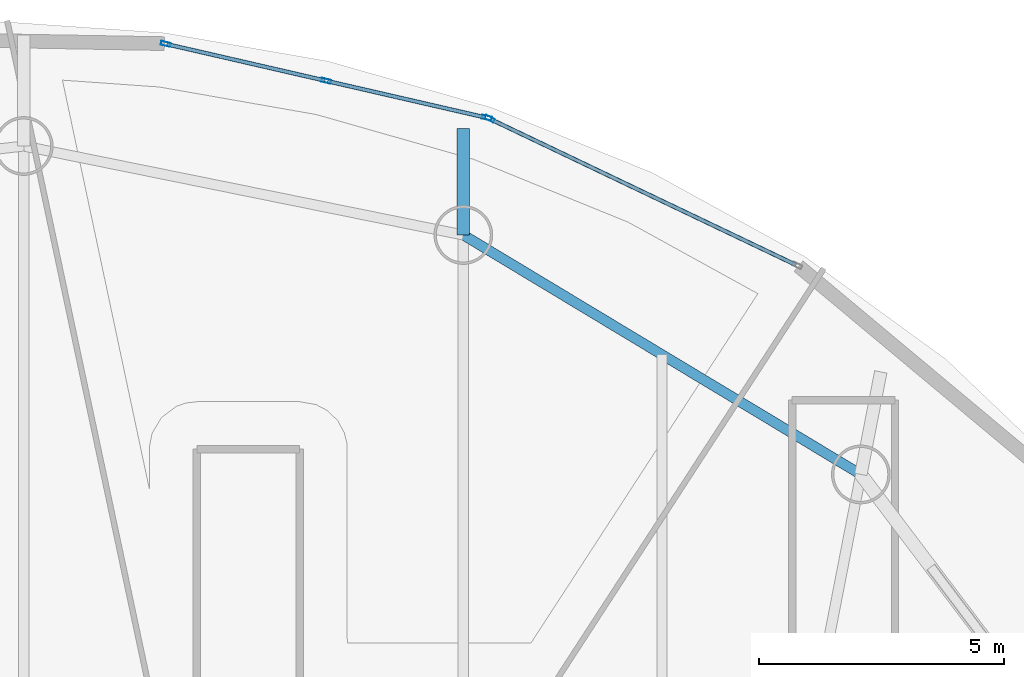
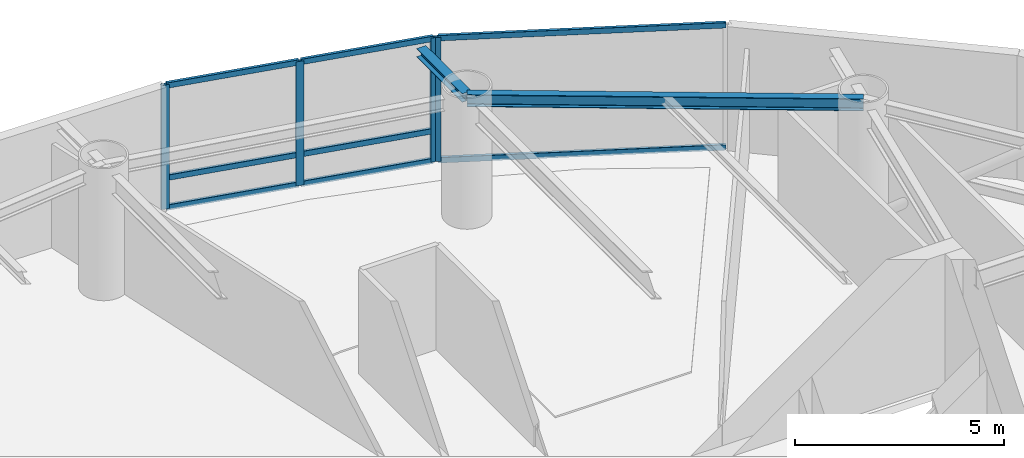
# One storey, part 13 of 22: 12 members, 2 beams, 2 elements without a shape of their own.
"""IFC4 building model written with IfcOpenShell, lengths in metres."""

from ifc_helpers import new_model, si_unit, direction, frame, origin, origin_2d, place, context, subcontext, project, spatial, hollow_rectangle, i_section, extrude, material, layer, layer_set, material_profile, profile_set, type_object, element, aggregate, save


model = new_model("IFC4")

# Units and contexts
model_context = context("Model", 3, precision=1e-05, world=origin(), true_north=direction((0.0, 1.0)))
body_context = subcontext(model_context, "Body", "Model", "MODEL_VIEW")
ifc_project = project(units=[si_unit("LENGTHUNIT", "METRE"), si_unit("AREAUNIT", "SQUARE_METRE"), si_unit("VOLUMEUNIT", "CUBIC_METRE"), si_unit("PLANEANGLEUNIT", "RADIAN"), si_unit("MASSUNIT", "GRAM", prefix="KILO")], contexts=[model_context])

# Site, building, storey
site_placement = place(None, origin())
site = spatial("IfcSite", under=ifc_project, at=site_placement, CompositionType="ELEMENT")
building_placement = place(site_placement, origin())
building = spatial("IfcBuilding", under=site, at=building_placement, Name="Bramvorn Convention Spire", CompositionType="ELEMENT")
storey_placement = place(building_placement, frame((0.0, 0.0, 221.25)))
storey = spatial("IfcBuildingStorey", under=building, at=storey_placement, Name="L56", CompositionType="ELEMENT", Elevation=221.25)

# Beams
ifc_material_1 = material(Name="Steel CSA G40.21 Grade 350 (350W)", Category="steel")
ifc_material_profile_1 = material_profile(ifc_material_1, i_section(OverallWidth=0.25390625, OverallDepth=0.2529296875, WebThickness=0.008544921875, FlangeThickness=0.01416015625, FilletRadius=0.011962890625, at=origin_2d()))
ifc_profile_set_1 = profile_set([ifc_material_profile_1], Name="Steel CSA G40.21 Grade 350 (350W) - W250X73")
beam_type_1 = type_object("IfcBeamType", Name="BM-W250X73", PredefinedType="BEAM", material=ifc_profile_set_1)
beam_1_placement = place(storey_placement, frame((42.38916015625, 44.772216796875, 3.493408203125), z_axis=(0.0, 1.0, 0.0), x_axis=(-1.0, 0.0, 0.0)))
element("IfcBeam", 1, at=beam_1_placement, inside=storey, type_object=beam_type_1, Name="L56 slab-edge cantilever tip beam MC06", PredefinedType="BEAM", context=body_context, shape_type="SweptSolid", body=[
    extrude(i_section(OverallWidth=0.25390625, OverallDepth=0.2529296875, WebThickness=0.008544921875, FlangeThickness=0.01416015625, FilletRadius=0.011962890625, at=origin_2d()), origin(), (0.0, 0.0, 1.0), 2.175048828125),
])
ifc_material_profile_2 = material_profile(ifc_material_1, i_section(OverallWidth=0.205078125, OverallDepth=0.35400390625, WebThickness=0.009521484375, FlangeThickness=0.016845703125, FilletRadius=0.014892578125, at=origin_2d()))
ifc_profile_set_2 = profile_set([ifc_material_profile_2], Name="Steel CSA G40.21 Grade 350 (350W) - W360X79")
beam_type_2 = type_object("IfcBeamType", Name="BM-W360X79", PredefinedType="JOIST", material=ifc_profile_set_2)
beam_2_placement = place(storey_placement, frame((50.501953125, 39.885009765625, 3.443115234375), z_axis=(-0.856581795745, 0.516011266543, 0.0), x_axis=(-0.516011266543, -0.856581795745, 0.0)))
element("IfcBeam", 2, at=beam_2_placement, inside=storey, type_object=beam_type_2, Name="L56 mega-column ring beam 05", PredefinedType="JOIST", context=body_context, shape_type="SweptSolid", body=[
    extrude(i_section(OverallWidth=0.205078125, OverallDepth=0.35400390625, WebThickness=0.009521484375, FlangeThickness=0.016845703125, FilletRadius=0.014892578125, at=origin_2d()), origin(), (0.0, 0.0, 1.0), 9.47119140625),
])

# Curtain wall, member
ifc_material_2 = material(Name="Anodised Bronze Unitised Curtain Wall", Category="aluminium")
ifc_layer = layer(ifc_material_2, 0.179931640625)
ifc_layer_set = layer_set([ifc_layer], Name="Anodised Bronze Unitised Curtain Wall - CW-OFF-FRIT")
curtain_wall_type = type_object("IfcCurtainWallType", Name="CW-OFF-FRIT", PredefinedType="USERDEFINED", material=ifc_layer_set)
curtain_wall_1_placement = place(storey_placement, origin())
curtain_wall_1 = element("IfcCurtainWall", 3, at=curtain_wall_1_placement, inside=storey, type_object=curtain_wall_type, Name="L56 fritted glass curtain wall 08", ObjectType="UNITISED CURTAIN WALL", PredefinedType="USERDEFINED")
ifc_material_3 = material(Name="Anodised Bronze Aluminium 6063-T6", Category="aluminium")
ifc_material_profile_3 = material_profile(ifc_material_3, hollow_rectangle(XDim=0.080078125, YDim=0.199951171875, WallThickness=0.00390625, InnerFilletRadius=0.0009765625, OuterFilletRadius=0.00390625, at=origin_2d()))
ifc_profile_set_3 = profile_set([ifc_material_profile_3], Name="Anodised Bronze Aluminium 6063-T6 - CWM80X200")
member_type_1 = type_object("IfcMemberType", Name="CW-MUL-180", PredefinedType="MULLION", material=ifc_profile_set_3)
member_1_placement = place(storey_placement, frame((42.92529296875, 47.144775390625, 0.0), z_axis=(0.0, 0.0, 1.0), x_axis=(0.430659156923, 0.90251464839, 0.0)))
member_1 = element("IfcMember", 4, at=member_1_placement, type_object=member_type_1, Name="CW3 mullion 1", PredefinedType="MULLION", context=body_context, shape_type="SweptSolid", body=[
    extrude(hollow_rectangle(XDim=0.080078125, YDim=0.199951171875, WallThickness=0.00390625, InnerFilletRadius=0.0009765625, OuterFilletRadius=0.00390625, at=origin_2d()), origin(), (0.0, 0.0, 1.0), 3.6201171875),
])

# Curtain wall, members
curtain_wall_2_placement = place(storey_placement, origin())
curtain_wall_2 = element("IfcCurtainWall", 5, at=curtain_wall_2_placement, inside=storey, type_object=curtain_wall_type, Name="L56 fritted glass curtain wall 09", ObjectType="UNITISED CURTAIN WALL", PredefinedType="USERDEFINED")
member_2_placement = place(storey_placement, frame((36.3154296875, 48.671142578125, 0.0), z_axis=(0.0, 0.0, 1.0), x_axis=(0.224055298751, 0.974576432663, 0.0)))
member_2 = element("IfcMember", 6, at=member_2_placement, type_object=member_type_1, Name="CW3 mullion 1", PredefinedType="MULLION", context=body_context, shape_type="SweptSolid", body=[
    extrude(hollow_rectangle(XDim=0.080078125, YDim=0.199951171875, WallThickness=0.00390625, InnerFilletRadius=0.0009765625, OuterFilletRadius=0.00390625, at=origin_2d()), origin(), (0.0, 0.0, 1.0), 3.6201171875),
])
member_3_placement = place(storey_placement, frame((39.592041015625, 47.917724609375, 0.0), z_axis=(0.0, 0.0, 1.0), x_axis=(0.224055298751, 0.974576432663, 0.0)))
member_3 = element("IfcMember", 7, at=member_3_placement, type_object=member_type_1, Name="CW3 mullion 2", PredefinedType="MULLION", context=body_context, shape_type="SweptSolid", body=[
    extrude(hollow_rectangle(XDim=0.080078125, YDim=0.199951171875, WallThickness=0.00390625, InnerFilletRadius=0.0009765625, OuterFilletRadius=0.00390625, at=origin_2d()), origin(), (0.0, 0.0, 1.0), 3.6201171875),
])
member_4_placement = place(storey_placement, frame((42.868896484375, 47.164306640625, 0.0), z_axis=(0.0, 0.0, 1.0), x_axis=(0.224055298751, 0.974576432663, 0.0)))
member_4 = element("IfcMember", 8, at=member_4_placement, type_object=member_type_1, Name="CW3 mullion 3", PredefinedType="MULLION", context=body_context, shape_type="SweptSolid", body=[
    extrude(hollow_rectangle(XDim=0.080078125, YDim=0.199951171875, WallThickness=0.00390625, InnerFilletRadius=0.0009765625, OuterFilletRadius=0.00390625, at=origin_2d()), origin(), (0.0, 0.0, 1.0), 3.6201171875),
])

# Member
ifc_material_profile_4 = material_profile(ifc_material_3, hollow_rectangle(XDim=0.080078125, YDim=0.159912109375, WallThickness=0.00390625, InnerFilletRadius=0.0009765625, OuterFilletRadius=0.00390625, at=origin_2d()))
ifc_profile_set_4 = profile_set([ifc_material_profile_4], Name="Anodised Bronze Aluminium 6063-T6 - CWT80X160")
member_type_2 = type_object("IfcMemberType", Name="CW-TRN-150", PredefinedType="USERDEFINED", material=ifc_profile_set_4)
member_5_placement = place(storey_placement, frame((42.9521484375, 47.1318359375, 0.030029296875), z_axis=(0.902521997108, -0.430643756179, 0.0), x_axis=(0.430643756179, 0.902521997108, 0.0)))
member_5 = element("IfcMember", 9, at=member_5_placement, type_object=member_type_2, Name="CW3 transom 1.1", ObjectType="TRANSOM", PredefinedType="USERDEFINED", context=body_context, shape_type="SweptSolid", body=[
    extrude(hollow_rectangle(XDim=0.080078125, YDim=0.159912109375, WallThickness=0.00390625, InnerFilletRadius=0.0009765625, OuterFilletRadius=0.00390625, at=origin_2d()), origin(), (0.0, 0.0, 1.0), 6.897705078125),
])

member_6_placement = place(storey_placement, frame((42.9521484375, 47.1318359375, 3.590087890625), z_axis=(0.902521997108, -0.430643756179, 0.0), x_axis=(0.430643756179, 0.902521997108, 0.0)))
member_6 = element("IfcMember", 10, at=member_6_placement, type_object=member_type_2, Name="CW3 transom 1.2", ObjectType="TRANSOM", PredefinedType="USERDEFINED", context=body_context, shape_type="SweptSolid", body=[
    extrude(hollow_rectangle(XDim=0.080078125, YDim=0.159912109375, WallThickness=0.00390625, InnerFilletRadius=0.0009765625, OuterFilletRadius=0.00390625, at=origin_2d()), origin(), (0.0, 0.0, 1.0), 6.897705078125),
])

aggregate(curtain_wall_1, [member_1, member_5, member_6])

member_7_placement = place(storey_placement, frame((36.344482421875, 48.664306640625, 0.030029296875), z_axis=(0.974585217326, -0.224017084547, 0.0), x_axis=(0.224017084547, 0.974585217326, 0.0)))
member_7 = element("IfcMember", 11, at=member_7_placement, type_object=member_type_2, Name="CW3 transom 1.1", ObjectType="TRANSOM", PredefinedType="USERDEFINED", context=body_context, shape_type="SweptSolid", body=[
    extrude(hollow_rectangle(XDim=0.080078125, YDim=0.159912109375, WallThickness=0.00390625, InnerFilletRadius=0.0009765625, OuterFilletRadius=0.00390625, at=origin_2d()), origin(), (0.0, 0.0, 1.0), 3.30224609375),
])

member_8_placement = place(storey_placement, frame((36.344482421875, 48.664306640625, 0.89990234375), z_axis=(0.974585217326, -0.224017084547, 0.0), x_axis=(0.224017084547, 0.974585217326, 0.0)))
member_8 = element("IfcMember", 12, at=member_8_placement, type_object=member_type_2, Name="CW3 transom 1.2", ObjectType="TRANSOM", PredefinedType="USERDEFINED", context=body_context, shape_type="SweptSolid", body=[
    extrude(hollow_rectangle(XDim=0.080078125, YDim=0.159912109375, WallThickness=0.00390625, InnerFilletRadius=0.0009765625, OuterFilletRadius=0.00390625, at=origin_2d()), origin(), (0.0, 0.0, 1.0), 3.30224609375),
])

member_9_placement = place(storey_placement, frame((36.344482421875, 48.664306640625, 3.590087890625), z_axis=(0.974585217326, -0.224017084547, 0.0), x_axis=(0.224017084547, 0.974585217326, 0.0)))
member_9 = element("IfcMember", 13, at=member_9_placement, type_object=member_type_2, Name="CW3 transom 1.3", ObjectType="TRANSOM", PredefinedType="USERDEFINED", context=body_context, shape_type="SweptSolid", body=[
    extrude(hollow_rectangle(XDim=0.080078125, YDim=0.159912109375, WallThickness=0.00390625, InnerFilletRadius=0.0009765625, OuterFilletRadius=0.00390625, at=origin_2d()), origin(), (0.0, 0.0, 1.0), 3.30224609375),
])

member_10_placement = place(storey_placement, frame((39.621337890625, 47.9111328125, 0.030029296875), z_axis=(0.974569073728, -0.224087305604, 0.0), x_axis=(0.224087305604, 0.974569073728, 0.0)))
member_10 = element("IfcMember", 14, at=member_10_placement, type_object=member_type_2, Name="CW3 transom 2.1", ObjectType="TRANSOM", PredefinedType="USERDEFINED", context=body_context, shape_type="SweptSolid", body=[
    extrude(hollow_rectangle(XDim=0.080078125, YDim=0.159912109375, WallThickness=0.00390625, InnerFilletRadius=0.0009765625, OuterFilletRadius=0.00390625, at=origin_2d()), origin(), (0.0, 0.0, 1.0), 3.30224609375),
])

member_11_placement = place(storey_placement, frame((39.621337890625, 47.9111328125, 0.89990234375), z_axis=(0.974569073728, -0.224087305604, 0.0), x_axis=(0.224087305604, 0.974569073728, 0.0)))
member_11 = element("IfcMember", 15, at=member_11_placement, type_object=member_type_2, Name="CW3 transom 2.2", ObjectType="TRANSOM", PredefinedType="USERDEFINED", context=body_context, shape_type="SweptSolid", body=[
    extrude(hollow_rectangle(XDim=0.080078125, YDim=0.159912109375, WallThickness=0.00390625, InnerFilletRadius=0.0009765625, OuterFilletRadius=0.00390625, at=origin_2d()), origin(), (0.0, 0.0, 1.0), 3.30224609375),
])

member_12_placement = place(storey_placement, frame((39.621337890625, 47.9111328125, 3.590087890625), z_axis=(0.974569073728, -0.224087305604, 0.0), x_axis=(0.224087305604, 0.974569073728, 0.0)))
member_12 = element("IfcMember", 16, at=member_12_placement, type_object=member_type_2, Name="CW3 transom 2.3", ObjectType="TRANSOM", PredefinedType="USERDEFINED", context=body_context, shape_type="SweptSolid", body=[
    extrude(hollow_rectangle(XDim=0.080078125, YDim=0.159912109375, WallThickness=0.00390625, InnerFilletRadius=0.0009765625, OuterFilletRadius=0.00390625, at=origin_2d()), origin(), (0.0, 0.0, 1.0), 3.30224609375),
])

aggregate(curtain_wall_2, [member_2, member_3, member_4, member_7, member_8, member_9, member_10, member_11, member_12])

save(model, "model.ifc")
